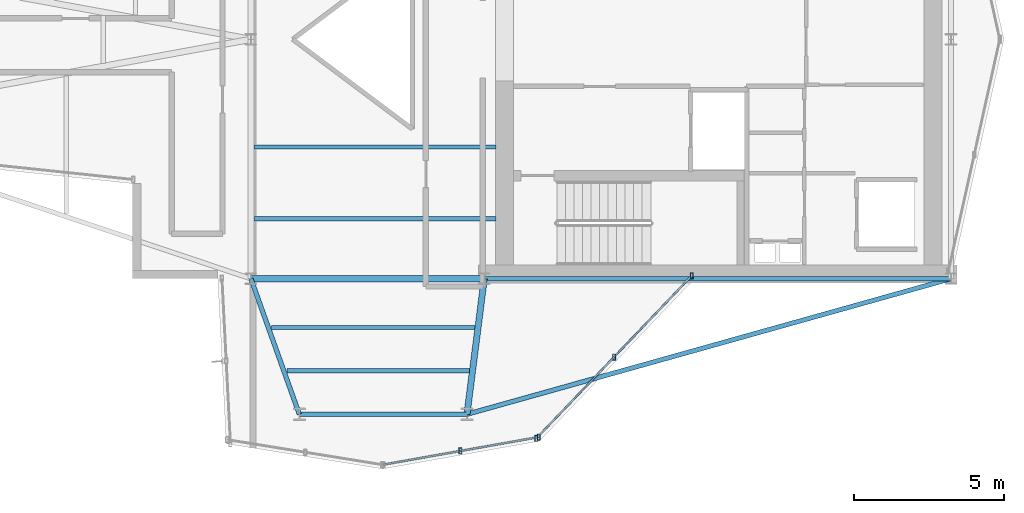
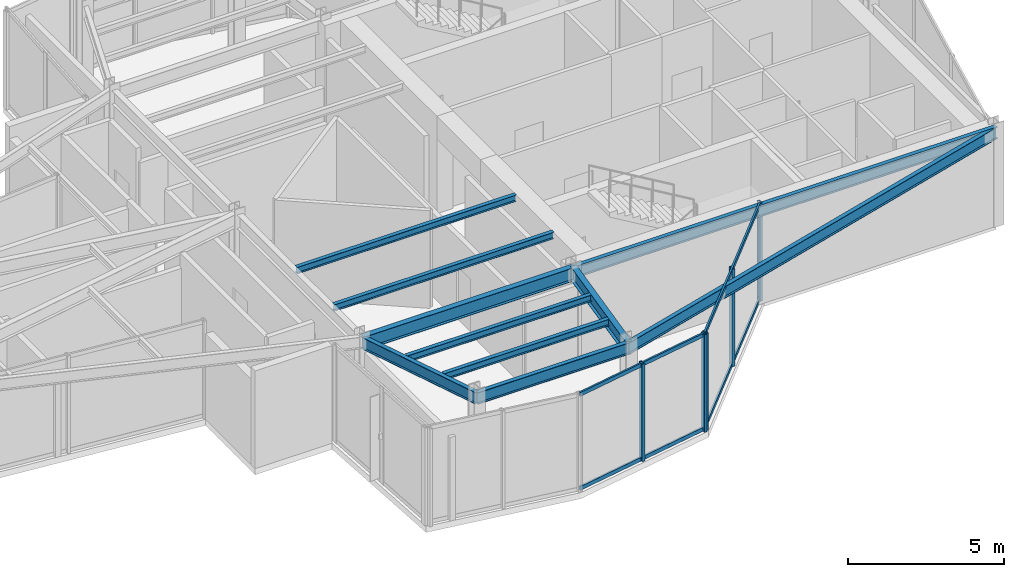
# One storey, part 3 of 13: 10 beams, 9 members, 2 elements without a shape of their own.
"""IFC4 building model written with IfcOpenShell, lengths in metres."""

from ifc_helpers import new_model, si_unit, direction, frame, origin, origin_2d, place, context, subcontext, project, spatial, hollow_rectangle, i_section, extrude, material, layer, layer_set, material_profile, profile_set, type_object, element, aggregate, save


model = new_model("IFC4")

# Units and contexts
model_context = context("Model", 3, precision=1e-05, world=origin(), true_north=direction((0.0, 1.0)))
body_context = subcontext(model_context, "Body", "Model", "MODEL_VIEW")
ifc_project = project(units=[si_unit("LENGTHUNIT", "METRE"), si_unit("AREAUNIT", "SQUARE_METRE"), si_unit("VOLUMEUNIT", "CUBIC_METRE"), si_unit("PLANEANGLEUNIT", "RADIAN"), si_unit("MASSUNIT", "GRAM", prefix="KILO")], contexts=[model_context])

# Site, building, storey
site_placement = place(None, origin())
site = spatial("IfcSite", under=ifc_project, at=site_placement, CompositionType="ELEMENT")
building_placement = place(site_placement, origin())
building = spatial("IfcBuilding", under=site, at=building_placement, Name="Veymaron Broadcast Tower", CompositionType="ELEMENT")
storey_placement = place(building_placement, frame((0.0, 0.0, 291.14990234375)))
storey = spatial("IfcBuildingStorey", under=building, at=storey_placement, Name="L68", CompositionType="ELEMENT", Elevation=291.14990234375)

# Beams
ifc_material_1 = material(Name="Structural steel ASTM A992 Gr 50", Category="steel")
ifc_material_profile_1 = material_profile(ifc_material_1, i_section(OverallWidth=0.208984375, OverallDepth=0.528076171875, WebThickness=0.009521484375, FlangeThickness=0.01318359375, at=origin_2d()), Name="W530X82")
ifc_profile_set_1 = profile_set([ifc_material_profile_1], Name="Structural steel ASTM A992 Gr 50")
beam_type_1 = type_object("IfcBeamType", Name="BM-FG4", PredefinedType="BEAM", material=ifc_profile_set_1)
beam_1_placement = place(storey_placement, frame((31.199951171875, 16.0, 3.546142578125), z_axis=(1.0, 0.0, 0.0), x_axis=(0.0, 1.0, 0.0)))
element("IfcBeam", 1, at=beam_1_placement, inside=storey, type_object=beam_type_1, Name="L68 primary structural floor girder", PredefinedType="BEAM", context=body_context, shape_type="SweptSolid", body=[
    extrude(i_section(OverallWidth=0.208984375, OverallDepth=0.528076171875, WebThickness=0.009521484375, FlangeThickness=0.01318359375, at=origin_2d()), origin(), (0.0, 0.0, 1.0), 7.800048828125),
])
beam_2_placement = place(storey_placement, frame((39.0, 16.0, 3.546142578125), z_axis=(-0.126487567317, -0.991968192693, 0.0), x_axis=(0.991968192693, -0.126487567317, 0.0)))
element("IfcBeam", 2, at=beam_2_placement, inside=storey, type_object=beam_type_1, Name="L68 primary structural floor girder", PredefinedType="BEAM", context=body_context, shape_type="SweptSolid", body=[
    extrude(i_section(OverallWidth=0.208984375, OverallDepth=0.528076171875, WebThickness=0.009521484375, FlangeThickness=0.01318359375, at=origin_2d()), origin(), (0.0, 0.0, 1.0), 4.568603515625),
])
ifc_material_profile_2 = material_profile(ifc_material_1, i_section(OverallWidth=0.14599609375, OverallDepth=0.258056640625, WebThickness=0.006103515625, FlangeThickness=0.009033203125, at=origin_2d()), Name="W250X33")
ifc_profile_set_2 = profile_set([ifc_material_profile_2], Name="Structural steel ASTM A992 Gr 50")
beam_type_2 = type_object("IfcBeamType", Name="BM-JS4", PredefinedType="JOIST", material=ifc_profile_set_2)
beam_3_placement = place(storey_placement, frame((31.882568359375, 14.368408203125, 3.68115234375), z_axis=(1.0, 0.0, 0.0), x_axis=(0.0, 1.0, 0.0)))
element("IfcBeam", 3, at=beam_3_placement, inside=storey, type_object=beam_type_2, Name="L68 Arm-C secondary joist 1", PredefinedType="JOIST", context=body_context, shape_type="SweptSolid", body=[
    extrude(i_section(OverallWidth=0.14599609375, OverallDepth=0.258056640625, WebThickness=0.006103515625, FlangeThickness=0.009033203125, at=origin_2d()), origin(), (0.0, 0.0, 1.0), 6.809326171875),
])
beam_4_placement = place(storey_placement, frame((32.400390625, 12.918212890625, 3.68115234375), z_axis=(1.0, 0.0, 0.0), x_axis=(0.0, 1.0, 0.0)))
element("IfcBeam", 4, at=beam_4_placement, inside=storey, type_object=beam_type_2, Name="L68 Arm-C secondary joist 2", PredefinedType="JOIST", context=body_context, shape_type="SweptSolid", body=[
    extrude(i_section(OverallWidth=0.14599609375, OverallDepth=0.258056640625, WebThickness=0.006103515625, FlangeThickness=0.009033203125, at=origin_2d()), origin(), (0.0, 0.0, 1.0), 6.106689453125),
])
for number, where, z_axis, x_axis, name in (
    (5, (31.300048828125, 18.0, 3.68115234375), (1.0, 0.0, 0.0), (0.0, 1.0, 0.0), "L68 Hub secondary joist 1"),
    (6, (31.300048828125, 20.39990234375, 3.68115234375), (1.0, 0.0, 0.0), (0.0, 1.0, 0.0), "L68 Hub secondary joist 2"),
):
    element("IfcBeam", number, at=place(storey_placement, frame(where, z_axis=z_axis, x_axis=x_axis)), inside=storey, type_object=beam_type_2, Name=name, PredefinedType="JOIST", context=body_context, shape_type="SweptSolid", body=[
        extrude(i_section(OverallWidth=0.14599609375, OverallDepth=0.258056640625, WebThickness=0.006103515625, FlangeThickness=0.009033203125, at=origin_2d()), origin(), (0.0, 0.0, 1.0), 8.099853515625),
    ])
ifc_material_profile_3 = material_profile(ifc_material_1, i_section(OverallWidth=0.154052734375, OverallDepth=0.458984375, WebThickness=0.009033203125, FlangeThickness=0.015380859375, at=origin_2d()), Name="W460X68")
ifc_profile_set_3 = profile_set([ifc_material_profile_3], Name="Structural steel ASTM A992 Gr 50")
beam_type_3 = type_object("IfcBeamType", Name="BM-SP2", PredefinedType="SPANDREL", material=ifc_profile_set_3)
beam_5_placement = place(storey_placement, frame((39.0, 16.0, 3.58056640625), z_axis=(1.0, 0.0, 0.0), x_axis=(0.0, 1.0, 0.0)))
element("IfcBeam", 7, at=beam_5_placement, inside=storey, type_object=beam_type_3, Name="L68 primary structural floor girder", PredefinedType="SPANDREL", context=body_context, shape_type="SweptSolid", body=[
    extrude(i_section(OverallWidth=0.154052734375, OverallDepth=0.458984375, WebThickness=0.009033203125, FlangeThickness=0.015380859375, at=origin_2d()), origin(), (0.0, 0.0, 1.0), 15.60009765625),
])
beam_6_placement = place(storey_placement, frame((31.199951171875, 16.0, 3.58056640625), z_axis=(0.336307472279, -0.941752241351, 0.0), x_axis=(0.941752241351, 0.336307472279, 0.0)))
element("IfcBeam", 8, at=beam_6_placement, inside=storey, type_object=beam_type_3, Name="L68 primary structural floor girder", PredefinedType="SPANDREL", context=body_context, shape_type="SweptSolid", body=[
    extrude(i_section(OverallWidth=0.154052734375, OverallDepth=0.458984375, WebThickness=0.009033203125, FlangeThickness=0.015380859375, at=origin_2d()), origin(), (0.0, 0.0, 1.0), 4.812255859375),
])
beam_7_placement = place(storey_placement, frame((54.60009765625, 16.0, 3.58056640625), z_axis=(-0.962930809843, -0.269748504084, 0.0), x_axis=(0.269748504084, -0.962930809843, 0.0)))
element("IfcBeam", 9, at=beam_7_placement, inside=storey, type_object=beam_type_3, Name="L68 primary structural floor girder", PredefinedType="SPANDREL", context=body_context, shape_type="SweptSolid", body=[
    extrude(i_section(OverallWidth=0.154052734375, OverallDepth=0.458984375, WebThickness=0.009033203125, FlangeThickness=0.015380859375, at=origin_2d()), origin(), (0.0, 0.0, 1.0), 16.80078125),
])
beam_8_placement = place(storey_placement, frame((32.818359375, 11.468017578125, 3.58056640625), z_axis=(1.0, 0.0, 0.0), x_axis=(0.0, 1.0, 0.0)))
element("IfcBeam", 10, at=beam_8_placement, inside=storey, type_object=beam_type_3, Name="L68 primary structural floor girder", PredefinedType="SPANDREL", context=body_context, shape_type="SweptSolid", body=[
    extrude(i_section(OverallWidth=0.154052734375, OverallDepth=0.458984375, WebThickness=0.009033203125, FlangeThickness=0.015380859375, at=origin_2d()), origin(), (0.0, 0.0, 1.0), 5.603759765625),
])

# Curtain wall, members
ifc_material_2 = material(Name="Anodised aluminium AA 6063-T6 and laminated low-E dark glass", Category="aluminium")
ifc_layer = layer(ifc_material_2, 0.179931640625)
ifc_layer_set = layer_set([ifc_layer], Name="Anodised aluminium AA 6063-T6 and laminated low-E dark glass")
curtain_wall_type = type_object("IfcCurtainWallType", Name="CW-SYS-06", PredefinedType="NOTDEFINED", material=ifc_layer_set)
curtain_wall_1_placement = place(storey_placement, origin())
curtain_wall_1 = element("IfcCurtainWall", 11, at=curtain_wall_1_placement, inside=storey, type_object=curtain_wall_type, Name="L68 dark-glass curtain wall CW-L68-E19-1", PredefinedType="NOTDEFINED")
ifc_material_3 = material(Name="Anodised aluminium AA 6063-T6", Category="aluminium")
ifc_material_profile_4 = material_profile(ifc_material_3, hollow_rectangle(XDim=0.10009765625, YDim=0.199951171875, WallThickness=0.010009765625, at=origin_2d()), Name="RHS200X100X10")
ifc_profile_set_4 = profile_set([ifc_material_profile_4], Name="Anodised aluminium AA 6063-T6")
member_type_1 = type_object("IfcMemberType", Name="CW-MUL-01", PredefinedType="MULLION", material=ifc_profile_set_4)
member_1_placement = place(storey_placement, frame((38.2021484375, 10.24072265625, 0.0), z_axis=(0.0, 0.0, 1.0), x_axis=(1.0, 0.0, 0.0)))
member_1 = element("IfcMember", 12, at=member_1_placement, type_object=member_type_1, Name="CW-L68-E19-1 mullion 1", PredefinedType="MULLION", context=body_context, shape_type="SweptSolid", body=[
    extrude(hollow_rectangle(XDim=0.10009765625, YDim=0.199951171875, WallThickness=0.010009765625, at=origin_2d()), origin(), (0.0, 0.0, 1.0), 3.81005859375),
])
member_2_placement = place(storey_placement, frame((40.819580078125, 10.705078125, 0.0), z_axis=(0.0, 0.0, 1.0), x_axis=(1.0, 0.0, 0.0)))
member_2 = element("IfcMember", 13, at=member_2_placement, type_object=member_type_1, Name="CW-L68-E19-1 mullion 2", PredefinedType="MULLION", context=body_context, shape_type="SweptSolid", body=[
    extrude(hollow_rectangle(XDim=0.10009765625, YDim=0.199951171875, WallThickness=0.010009765625, at=origin_2d()), origin(), (0.0, 0.0, 1.0), 3.81005859375),
])

curtain_wall_2_placement = place(storey_placement, origin())
curtain_wall_2 = element("IfcCurtainWall", 14, at=curtain_wall_2_placement, inside=storey, type_object=curtain_wall_type, Name="L68 dark-glass curtain wall CW-L68-E20-1", PredefinedType="NOTDEFINED")
member_3_placement = place(storey_placement, frame((40.74267578125, 10.663818359375, 0.0), z_axis=(0.0, 0.0, 1.0), x_axis=(1.0, 0.0, 0.0)))
member_3 = element("IfcMember", 15, at=member_3_placement, type_object=member_type_1, Name="CW-L68-E20-1 mullion 0", PredefinedType="MULLION", context=body_context, shape_type="SweptSolid", body=[
    extrude(hollow_rectangle(XDim=0.10009765625, YDim=0.199951171875, WallThickness=0.010009765625, at=origin_2d()), origin(), (0.0, 0.0, 1.0), 3.81005859375),
])
member_4_placement = place(storey_placement, frame((43.33837890625, 13.38037109375, 0.0), z_axis=(0.0, 0.0, 1.0), x_axis=(1.0, 0.0, 0.0)))
member_4 = element("IfcMember", 16, at=member_4_placement, type_object=member_type_1, Name="CW-L68-E20-1 mullion 1", PredefinedType="MULLION", context=body_context, shape_type="SweptSolid", body=[
    extrude(hollow_rectangle(XDim=0.10009765625, YDim=0.199951171875, WallThickness=0.010009765625, at=origin_2d()), origin(), (0.0, 0.0, 1.0), 3.81005859375),
])
member_5_placement = place(storey_placement, frame((45.934326171875, 16.0966796875, 0.0), z_axis=(0.0, 0.0, 1.0), x_axis=(1.0, 0.0, 0.0)))
member_5 = element("IfcMember", 17, at=member_5_placement, type_object=member_type_1, Name="CW-L68-E20-1 mullion 2", PredefinedType="MULLION", context=body_context, shape_type="SweptSolid", body=[
    extrude(hollow_rectangle(XDim=0.10009765625, YDim=0.199951171875, WallThickness=0.010009765625, at=origin_2d()), origin(), (0.0, 0.0, 1.0), 3.81005859375),
])

# Member
ifc_material_profile_5 = material_profile(ifc_material_3, hollow_rectangle(XDim=0.06494140625, YDim=0.14990234375, WallThickness=0.00390625, at=origin_2d()), Name="AL150X65X4")
ifc_profile_set_5 = profile_set([ifc_material_profile_5], Name="Anodised aluminium AA 6063-T6")
member_type_2 = type_object("IfcMemberType", Name="CW-TRN-01", PredefinedType="USERDEFINED", material=ifc_profile_set_5)
member_6_placement = place(storey_placement, frame((35.634033203125, 9.785400390625, 0.070068359375), z_axis=(0.984635728528, 0.174620966971, 0.0), x_axis=(-0.174620966971, 0.984635728528, 0.0)))
member_6 = element("IfcMember", 18, at=member_6_placement, type_object=member_type_2, Name="CW-L68-E19-1 transom B", ObjectType="TRANSOM", PredefinedType="USERDEFINED", context=body_context, shape_type="SweptSolid", body=[
    extrude(hollow_rectangle(XDim=0.06494140625, YDim=0.14990234375, WallThickness=0.00390625, at=origin_2d()), origin(), (0.0, 0.0, 1.0), 5.21630859375),
])

member_7_placement = place(storey_placement, frame((35.634033203125, 9.785400390625, 3.739990234375), z_axis=(0.984635728528, 0.174620966971, 0.0), x_axis=(-0.174620966971, 0.984635728528, 0.0)))
member_7 = element("IfcMember", 19, at=member_7_placement, type_object=member_type_2, Name="CW-L68-E19-1 transom T", ObjectType="TRANSOM", PredefinedType="USERDEFINED", context=body_context, shape_type="SweptSolid", body=[
    extrude(hollow_rectangle(XDim=0.06494140625, YDim=0.14990234375, WallThickness=0.00390625, at=origin_2d()), origin(), (0.0, 0.0, 1.0), 5.21630859375),
])

aggregate(curtain_wall_1, [member_1, member_2, member_6, member_7])

member_8_placement = place(storey_placement, frame((40.777099609375, 10.699951171875, 0.070068359375), z_axis=(0.690889898106, 0.722959991075, 0.0), x_axis=(-0.722959991075, 0.690889898106, 0.0)))
member_8 = element("IfcMember", 20, at=member_8_placement, type_object=member_type_2, Name="CW-L68-E20-1 transom B", ObjectType="TRANSOM", PredefinedType="USERDEFINED", context=body_context, shape_type="SweptSolid", body=[
    extrude(hollow_rectangle(XDim=0.06494140625, YDim=0.14990234375, WallThickness=0.00390625, at=origin_2d()), origin(), (0.0, 0.0, 1.0), 7.414794921875),
])

member_9_placement = place(storey_placement, frame((40.777099609375, 10.699951171875, 3.739990234375), z_axis=(0.690889898106, 0.722959991075, 0.0), x_axis=(-0.722959991075, 0.690889898106, 0.0)))
member_9 = element("IfcMember", 21, at=member_9_placement, type_object=member_type_2, Name="CW-L68-E20-1 transom T", ObjectType="TRANSOM", PredefinedType="USERDEFINED", context=body_context, shape_type="SweptSolid", body=[
    extrude(hollow_rectangle(XDim=0.06494140625, YDim=0.14990234375, WallThickness=0.00390625, at=origin_2d()), origin(), (0.0, 0.0, 1.0), 7.414794921875),
])

aggregate(curtain_wall_2, [member_3, member_4, member_5, member_8, member_9])

save(model, "model.ifc")
